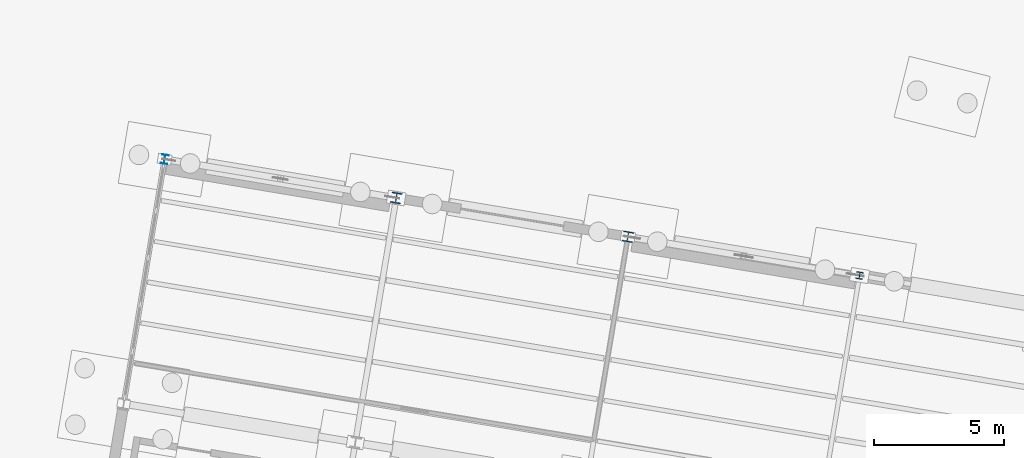
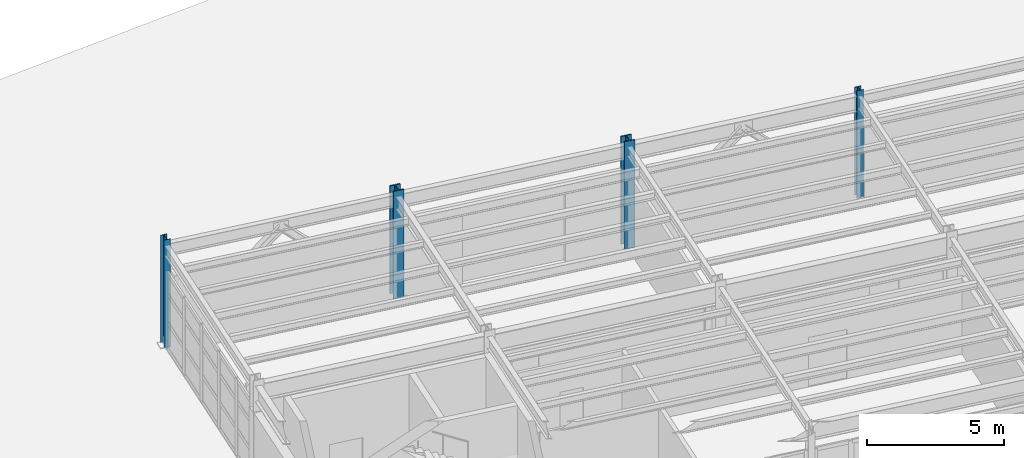
# One storey, part 23 of 108: 4 columns.
"""IFC4 building model written with IfcOpenShell, lengths in metres."""

from ifc_helpers import new_model, si_unit, direction, frame, origin, origin_2d, place, context, subcontext, project, spatial, i_section, extrude, material, material_profile, profile_set, type_object, element, save


model = new_model("IFC4")

# Units and contexts
model_context = context("Model", 3, precision=1e-05, world=origin(), true_north=direction((0.0, 1.0)))
body_context = subcontext(model_context, "Body", "Model", "MODEL_VIEW")
ifc_project = project(units=[si_unit("LENGTHUNIT", "METRE"), si_unit("AREAUNIT", "SQUARE_METRE"), si_unit("VOLUMEUNIT", "CUBIC_METRE"), si_unit("PLANEANGLEUNIT", "RADIAN"), si_unit("MASSUNIT", "GRAM", prefix="KILO")], contexts=[model_context])

# Site, building, storey
site_placement = place(None, origin())
site = spatial("IfcSite", under=ifc_project, at=site_placement, CompositionType="ELEMENT")
building_placement = place(site_placement, origin())
building = spatial("IfcBuilding", under=site, at=building_placement, Name="Vireo Bluff Cable Station", CompositionType="ELEMENT")
storey_placement = place(building_placement, origin())
storey = spatial("IfcBuildingStorey", under=building, at=storey_placement, Name="L00", CompositionType="ELEMENT", Elevation=0.0)

# Columns
ifc_material = material(Name="Steel ASTM A992 Gr. 50", Category="steel")
ifc_material_profile_1 = material_profile(ifc_material, i_section(OverallWidth=0.40087890625, OverallDepth=0.39892578125, WebThickness=0.02490234375, FlangeThickness=0.03955078125, FilletRadius=0.014892578125, at=origin_2d()), Name="W14X211")
ifc_profile_set_1 = profile_set([ifc_material_profile_1], Name="Steel ASTM A992 Gr. 50")
column_type_1 = type_object("IfcColumnType", Name="ECOL-W14X211", PredefinedType="COLUMN", material=ifc_profile_set_1)
column_1_placement = place(storey_placement, frame((27.95703125, 96.63818359375, 0.0), z_axis=(0.0, 0.0, 1.0), x_axis=(0.986285601537, -0.165047605861, 0.0)))
element("IfcColumn", 1, at=column_1_placement, inside=storey, type_object=column_type_1, Name="V4 L00 column 287", PredefinedType="COLUMN", context=body_context, shape_type="SweptSolid", body=[
    extrude(i_section(OverallWidth=0.40087890625, OverallDepth=0.39892578125, WebThickness=0.02490234375, FlangeThickness=0.03955078125, FilletRadius=0.014892578125, at=origin_2d()), origin(), (0.0, 0.0, 1.0), 4.800048828125),
])
ifc_material_profile_2 = material_profile(ifc_material, i_section(OverallWidth=0.406005859375, OverallDepth=0.4169921875, WebThickness=0.02978515625, FlangeThickness=0.048095703125, FilletRadius=0.014892578125, at=origin_2d()), Name="W14X257")
ifc_profile_set_2 = profile_set([ifc_material_profile_2], Name="Steel ASTM A992 Gr. 50")
column_type_2 = type_object("IfcColumnType", Name="ECOL-W14X257", PredefinedType="COLUMN", material=ifc_profile_set_2)
column_2_placement = place(storey_placement, frame((19.080322265625, 98.123779296875, 0.0), z_axis=(0.0, 0.0, 1.0), x_axis=(0.986285601537, -0.165047605861, 0.0)))
element("IfcColumn", 2, at=column_2_placement, inside=storey, type_object=column_type_2, Name="V4 L00 column 272", PredefinedType="COLUMN", context=body_context, shape_type="SweptSolid", body=[
    extrude(i_section(OverallWidth=0.406005859375, OverallDepth=0.4169921875, WebThickness=0.02978515625, FlangeThickness=0.048095703125, FilletRadius=0.014892578125, at=origin_2d()), origin(), (0.0, 0.0, 1.0), 4.800048828125),
])
ifc_material_profile_3 = material_profile(ifc_material, i_section(OverallWidth=0.257080078125, OverallDepth=0.263916015625, WebThickness=0.011962890625, FlangeThickness=0.01953125, FilletRadius=0.009033203125, at=origin_2d()), Name="W10X68")
ifc_profile_set_3 = profile_set([ifc_material_profile_3], Name="Steel ASTM A992 Gr. 50")
column_type_3 = type_object("IfcColumnType", Name="PIL-W10X68", PredefinedType="PILASTER", material=ifc_profile_set_3)
column_3_placement = place(storey_placement, frame((36.83349609375, 95.15283203125, 0.0), z_axis=(0.0, 0.0, 1.0), x_axis=(0.986285601537, -0.165047605861, 0.0)))
element("IfcColumn", 3, at=column_3_placement, inside=storey, type_object=column_type_3, Name="V4 L00 column 302", PredefinedType="PILASTER", context=body_context, shape_type="SweptSolid", body=[
    extrude(i_section(OverallWidth=0.257080078125, OverallDepth=0.263916015625, WebThickness=0.011962890625, FlangeThickness=0.01953125, FilletRadius=0.009033203125, at=origin_2d()), origin(), (0.0, 0.0, 1.0), 4.800048828125),
])
ifc_material_profile_4 = material_profile(ifc_material, i_section(OverallWidth=0.25390625, OverallDepth=0.35302734375, WebThickness=0.009521484375, FlangeThickness=0.016357421875, FilletRadius=0.011962890625, at=origin_2d()), Name="W14X61")
ifc_profile_set_4 = profile_set([ifc_material_profile_4], Name="Steel ASTM A992 Gr. 50")
column_type_4 = type_object("IfcColumnType", Name="PIL-W14X61", PredefinedType="PILASTER", material=ifc_profile_set_4)
column_4_placement = place(storey_placement, frame((10.203857421875, 99.609130859375, 0.0), z_axis=(0.0, 0.0, 1.0), x_axis=(0.986285601537, -0.165047605861, 0.0)))
element("IfcColumn", 4, at=column_4_placement, inside=storey, type_object=column_type_4, Name="V4 L00 column 257", PredefinedType="PILASTER", context=body_context, shape_type="SweptSolid", body=[
    extrude(i_section(OverallWidth=0.25390625, OverallDepth=0.35302734375, WebThickness=0.009521484375, FlangeThickness=0.016357421875, FilletRadius=0.011962890625, at=origin_2d()), origin(), (0.0, 0.0, 1.0), 4.800048828125),
])

save(model, "model.ifc")
